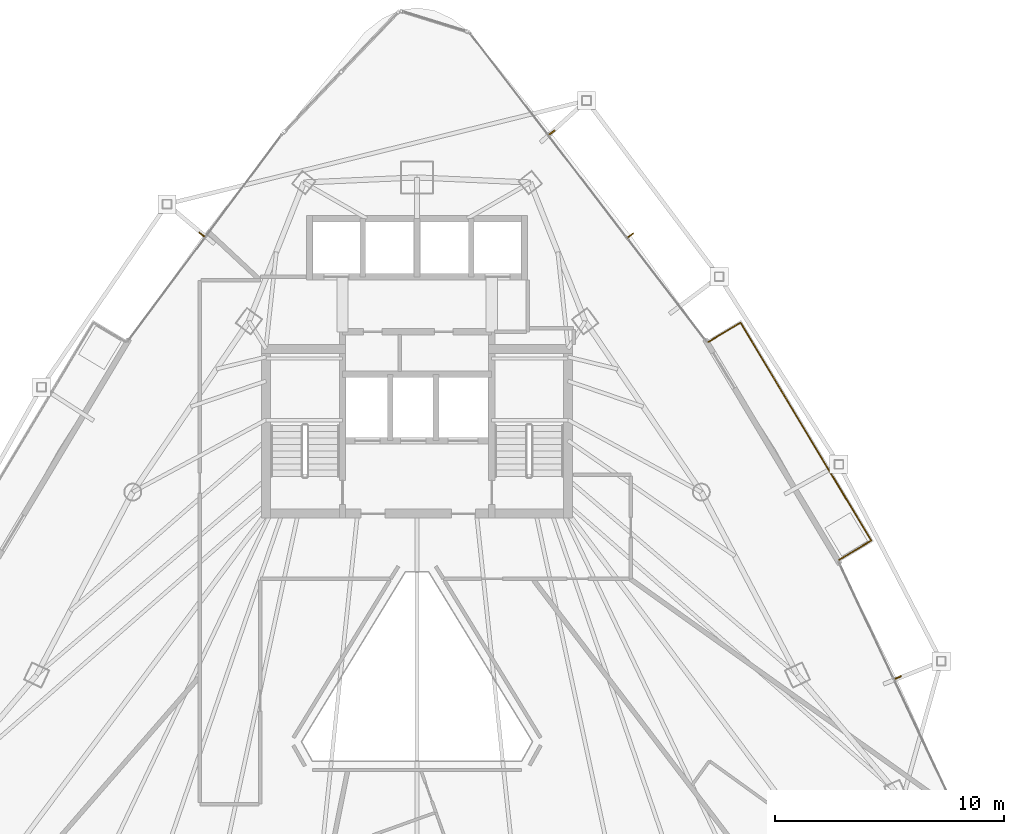
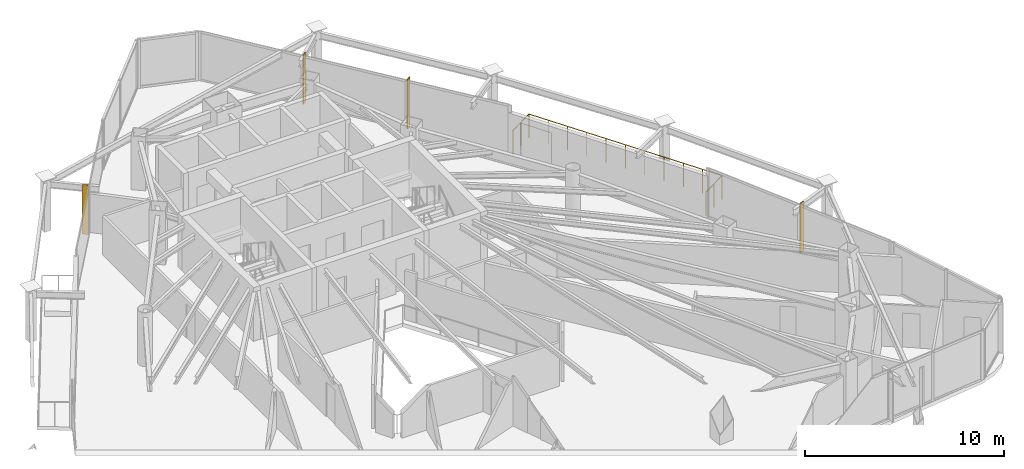
# One storey, part 30 of 30: 4 shading devices, 1 railing.
"""IFC4 building model written with IfcOpenShell, lengths in metres."""

import ifcopenshell
import ifcopenshell.guid

model = None  # the IFC model being written
_history = None  # IfcOwnerHistory: only IFC2X3 demands one
_inside = {}  # id of a spatial element -> (the spatial element, [elements in it])
_under = {}  # id of a project, library or spatial element -> (it, [spatial elements below it])
_declared = {}  # id of a project -> (the project, [libraries it declares])
_typed = {}  # id of a type object -> (the type object, [elements of that type])
_made_of = {}  # id of a material, layer set ... -> (it, [elements and type objects made of it])


def new_model(schema):
    """Start an empty IFC model of exactly this schema.

    Asked for "IFC4X3", IfcOpenShell would pick the latest addendum, in which some entities
    have other attributes; the version numbers below select the first issue.
    IFC2X3 requires an IfcOwnerHistory on every rooted entity: one is made here for all.
    """
    global model, _history
    if schema == "IFC4X3":
        model = ifcopenshell.file(schema_version=(4, 3, 0, 0))
    else:
        model = ifcopenshell.file(schema=schema)
    _inside.clear()
    _under.clear()
    _declared.clear()
    _typed.clear()
    _made_of.clear()
    _history = None
    if model.schema == "IFC2X3":
        org = make("IfcOrganization", Name="unknown")
        user = make(
            "IfcPersonAndOrganization",
            ThePerson=make("IfcPerson", FamilyName="unknown"),
            TheOrganization=org,
        )
        app = make(
            "IfcApplication",
            ApplicationDeveloper=org,
            Version="unknown",
            ApplicationFullName="unknown",
            ApplicationIdentifier="unknown",
        )
        _history = make(
            "IfcOwnerHistory",
            OwningUser=user,
            OwningApplication=app,
            ChangeAction="ADDED",
            CreationDate=0,
        )
    return model


def make(cls, **values):
    """One entity of the class cls with the attributes given. An attribute that is None is left unset."""
    return model.create_entity(
        cls, **{name: value for name, value in values.items() if value is not None}
    )


def rooted(cls, **values):
    """An entity with a GlobalId (a new one), such as an element, a storey or a relation."""
    return make(cls, GlobalId=ifcopenshell.guid.new(), OwnerHistory=_history, **values)


def si_unit(unit_type, name, prefix=None):
    """IfcSIUnit, for example si_unit("LENGTHUNIT", "METRE", prefix="MILLI")."""
    return make("IfcSIUnit", UnitType=unit_type, Prefix=prefix, Name=name)


def assignment(units):
    """IfcUnitAssignment: the units of a project."""
    return None if units is None else make("IfcUnitAssignment", Units=units)


def point(xyz):
    """IfcCartesianPoint."""
    return None if xyz is None else make("IfcCartesianPoint", Coordinates=xyz)


def direction(xyz):
    """IfcDirection."""
    return None if xyz is None else make("IfcDirection", DirectionRatios=xyz)


def frame(location, z_axis=None, x_axis=None):
    """IfcAxis2Placement3D, a coordinate frame: its origin and axes. An axis left out is left unset."""
    return make(
        "IfcAxis2Placement3D",
        Location=point(location),
        Axis=direction(z_axis),
        RefDirection=direction(x_axis),
    )


def frame_2d(location, x_axis=None):
    """IfcAxis2Placement2D, a coordinate frame in the plane: its origin and x axis."""
    return make(
        "IfcAxis2Placement2D", Location=point(location), RefDirection=direction(x_axis)
    )


def origin():
    """The frame at (0, 0, 0) with its axes left unset."""
    return frame((0.0, 0.0, 0.0))


def origin_2d():
    """The frame at (0, 0) in the plane with its x axis left unset."""
    return frame_2d((0.0, 0.0))


def place(relative_to, where):
    """IfcLocalPlacement: puts the frame where relative to a parent placement (None: the world)."""
    return make(
        "IfcLocalPlacement", PlacementRelTo=relative_to, RelativePlacement=where
    )


def context(
    kind, dimensions, precision=None, world=None, true_north=None, identifier=None
):
    """IfcGeometricRepresentationContext, for example the 3D "Model" context."""
    return make(
        "IfcGeometricRepresentationContext",
        ContextIdentifier=identifier,
        ContextType=kind,
        CoordinateSpaceDimension=dimensions,
        Precision=precision,
        WorldCoordinateSystem=world,
        TrueNorth=true_north,
    )


def subcontext(parent, identifier, kind, view, scale=None):
    """IfcGeometricRepresentationSubContext, for example "Body" below "Model"."""
    return make(
        "IfcGeometricRepresentationSubContext",
        ContextIdentifier=identifier,
        ContextType=kind,
        ParentContext=parent,
        TargetScale=scale,
        TargetView=view,
    )


def project(units=None, contexts=None):
    """IfcProject with its units and contexts."""
    return rooted(
        "IfcProject",
        Name="project",
        RepresentationContexts=contexts,
        UnitsInContext=assignment(units),
    )


def spatial(cls, under=None, at=None, **own):
    """A site, building, storey or space (cls), placed at a placement, below another one or the project."""
    s = rooted(cls, ObjectPlacement=at, **own)
    if under is not None:
        _under.setdefault(under.id(), (under, []))[1].append(s)
    return s


def profile(cls, at=None, kind="AREA", **sizes):
    """A parametric profile (cls). Its sizes go by their IFC names, for example OverallWidth=200.0."""
    return make(cls, ProfileType=kind, Position=at, **sizes)


def rectangle(**sizes):
    """IfcRectangleProfileDef."""
    return profile("IfcRectangleProfileDef", **sizes)


def circle(**sizes):
    """IfcCircleProfileDef."""
    return profile("IfcCircleProfileDef", **sizes)


def extrude(swept, where, along, depth):
    """IfcExtrudedAreaSolid: the profile swept, set in the frame where, extruded along a direction by depth."""
    return make(
        "IfcExtrudedAreaSolid",
        SweptArea=swept,
        Position=where,
        ExtrudedDirection=direction(along),
        Depth=depth,
    )


def shape(context_of_items, identifier, shape_type, items):
    """IfcShapeRepresentation: the items that make up one representation, for example the "Body"."""
    return make(
        "IfcShapeRepresentation",
        ContextOfItems=context_of_items,
        RepresentationIdentifier=identifier,
        RepresentationType=shape_type,
        Items=items,
    )


def material(Name=None, Category=None):
    """IfcMaterial."""
    return make("IfcMaterial", Name=Name, Category=Category)


def layer(
    of_material, thickness, ventilated=None, Name=None, Category=None, Priority=None
):
    """IfcMaterialLayer: one layer of a wall or slab, of a material (None: an air gap)."""
    return make(
        "IfcMaterialLayer",
        Material=of_material,
        LayerThickness=thickness,
        IsVentilated=ventilated,
        Name=Name,
        Category=Category,
        Priority=Priority,
    )


def layer_set(layers, Name=None):
    """IfcMaterialLayerSet."""
    return make("IfcMaterialLayerSet", MaterialLayers=layers, LayerSetName=Name)


def made_of(thing, what):
    """Note that an element or type object is made of a material, layer set ...; save() writes the relation."""
    if what is not None:
        _made_of.setdefault(what.id(), (what, []))[1].append(thing)
    return thing


def type_object(cls, material=None, **own):
    """A type object (cls), such as IfcWallType, which elements share."""
    return made_of(rooted(cls, **own), material)


def element(
    cls,
    number,
    at=None,
    inside=None,
    cuts=None,
    type_object=None,
    material=None,
    context=None,
    identifier="Body",
    shape_type=None,
    held_by="IfcProductDefinitionShape",
    body=None,
    shapes=None,
    **own,
):
    """One element of the class cls, such as IfcWall. Its Tag is "e" and its number.

    at: its placement. inside: the storey or other place that contains it. cuts: it is an
    opening in that element (IfcRelVoidsElement). A single representation is given by context,
    identifier, shape_type and body (its items); several are given by shapes. held_by: the class
    of the entity that holds the representations. save() writes the other relations.
    """
    e = rooted(cls, Tag="e%d" % number, ObjectPlacement=at, **own)
    if body is not None:
        shapes = [shape(context, identifier, shape_type, body)]
    if shapes is not None:
        e.Representation = make(held_by, Representations=shapes)
    if inside is not None:
        _inside.setdefault(inside.id(), (inside, []))[1].append(e)
    if cuts is not None:
        rooted(
            "IfcRelVoidsElement", RelatingBuildingElement=cuts, RelatedOpeningElement=e
        )
    if type_object is not None:
        _typed.setdefault(type_object.id(), (type_object, []))[1].append(e)
    return made_of(e, material)


def aggregate(whole, parts):
    """IfcRelAggregates: a whole, such as a stair, and the parts it consists of."""
    return rooted("IfcRelAggregates", RelatingObject=whole, RelatedObjects=parts)


def save(model, path):
    """Write the relations noted so far, then the file.

    IfcRelAggregates (storeys below a building ...), IfcRelContainedInSpatialStructure (elements
    in a storey), IfcRelDefinesByType, IfcRelAssociatesMaterial and IfcRelDeclares: one each for
    every whole, place, type object, material and project.
    """
    for whole, parts in _under.values():
        aggregate(whole, parts)
    for where, things in _inside.values():
        rooted(
            "IfcRelContainedInSpatialStructure",
            RelatedElements=things,
            RelatingStructure=where,
        )
    for kind, things in _typed.values():
        rooted("IfcRelDefinesByType", RelatedObjects=things, RelatingType=kind)
    for what, things in _made_of.values():
        rooted("IfcRelAssociatesMaterial", RelatedObjects=things, RelatingMaterial=what)
    for by, libraries in _declared.values():
        rooted("IfcRelDeclares", RelatingContext=by, RelatedDefinitions=libraries)
    model.write(path)


model = new_model("IFC4")

# Units and contexts
model_context = context("Model", 3, precision=1e-05, world=origin(), true_north=direction((0.0, 1.0)))
body_context = subcontext(model_context, "Body", "Model", "MODEL_VIEW")
ifc_project = project(units=[si_unit("LENGTHUNIT", "METRE"), si_unit("AREAUNIT", "SQUARE_METRE"), si_unit("VOLUMEUNIT", "CUBIC_METRE"), si_unit("PLANEANGLEUNIT", "RADIAN"), si_unit("MASSUNIT", "GRAM", prefix="KILO")], contexts=[model_context])

# Site, building, storey
site_placement = place(None, origin())
site = spatial("IfcSite", under=ifc_project, at=site_placement, CompositionType="ELEMENT")
building_placement = place(site_placement, origin())
building = spatial("IfcBuilding", under=site, at=building_placement, Name="Orvanel Arch Residences", CompositionType="ELEMENT")
storey_placement = place(building_placement, frame((0.0, 0.0, 143.0)))
storey = spatial("IfcBuildingStorey", under=building, at=storey_placement, Name="L40", CompositionType="ELEMENT", Elevation=143.0)

# Shading devices
ifc_material = material(Name="Bronze-anodised aluminium AA6063-T6", Category="aluminium")
ifc_layer = layer(ifc_material, 0.054931640625)
ifc_layer_set = layer_set([ifc_layer], Name="Bronze-anodised aluminium AA6063-T6")
shading_device_type = type_object("IfcShadingDeviceType", Name="FIN-BRZ-320", PredefinedType="USERDEFINED", material=ifc_layer_set)
for number, where, z_axis, x_axis, name in (
    (1, (23.593994140625, 38.89697265625, 0.0), (0.0, 0.0, 1.0), (-0.801775644244, 0.597625146976, 0.0), "L40 Anodised Bronze Mullion FIN 01"),
    (2, (54.02392578125, 19.530029296875, 0.0), (0.0, 0.0, 1.0), (0.904827052466, 0.425779291565, 0.0), "L40 Anodised Bronze Mullion FIN 01"),
    (3, (42.333984375, 38.864013671875, 0.0), (0.0, 0.0, 1.0), (0.793353340291, 0.608761429009, 0.0), "L40 Anodised Bronze Mullion FIN 01"),
    (4, (38.889892578125, 43.35595703125, 0.0), (0.0, 0.0, 1.0), (0.793353340291, 0.608761429009, 0.0), "L40 Anodised Bronze Mullion FIN 02"),
):
    element("IfcShadingDevice", number, at=place(storey_placement, frame(where, z_axis=z_axis, x_axis=x_axis)), inside=storey, type_object=shading_device_type, Name=name, ObjectType="FIN", PredefinedType="USERDEFINED", context=body_context, shape_type="SweptSolid", body=[
        extrude(rectangle(XDim=0.320068359375, YDim=0.054931640625, at=origin_2d()), origin(), (0.0, 0.0, 1.0), 3.02001953125),
    ])

# Railing
railing_type = type_object("IfcRailingType", Name="RL-BAL-1480", PredefinedType="BALUSTRADE", material=ifc_material)
railing_placement = place(storey_placement, frame((51.450927734375, 24.675048828125, 0.0)))
element("IfcRailing", 5, at=railing_placement, inside=storey, type_object=railing_type, Name="L40 Balcony Perimeter Guardrail Face 3", PredefinedType="BALUSTRADE", context=body_context, shape_type="SweptSolid", body=[
    extrude(circle(Radius=0.02392578125, at=origin_2d()), frame((0.001220703125, 0.000732421875, 1.4560546875), z_axis=(0.857545439568, 0.514408222208, 0.0), x_axis=(-0.514408222208, 0.857545439568, 0.0)), (0.0, 0.0, 1.0), 1.6376953125),
    extrude(circle(Radius=0.02392578125, at=origin_2d()), frame((1.40625, 0.84521484375, 1.4560546875), z_axis=(-0.514414986508, 0.857541381891, 0.0), x_axis=(-0.857541381891, -0.514414986508, 0.0)), (0.0, 0.0, 1.0), 11.110107421875),
    extrude(circle(Radius=0.02392578125, at=origin_2d()), frame((-4.31103515625, 10.373291015625, 1.4560546875), z_axis=(-0.857387817543, -0.514670895164, 0.0), x_axis=(0.514670895164, -0.857387817543, 0.0)), (0.0, 0.0, 1.0), 1.636962890625),
    extrude(circle(Radius=0.02099609375, at=origin_2d()), origin(), (0.0, 0.0, 1.0), 1.429931640625),
    extrude(circle(Radius=0.02099609375, at=origin_2d()), frame((0.70361328125, 0.421875, 0.0)), (0.0, 0.0, 1.0), 1.429931640625),
    extrude(circle(Radius=0.02099609375, at=origin_2d()), frame((1.406982421875, 0.843994140625, 0.0)), (0.0, 0.0, 1.0), 1.429931640625),
    extrude(circle(Radius=0.02099609375, at=origin_2d()), frame((0.835205078125, 1.796875, 0.0)), (0.0, 0.0, 1.0), 1.429931640625),
    extrude(circle(Radius=0.02099609375, at=origin_2d()), frame((0.263671875, 2.75, 0.0)), (0.0, 0.0, 1.0), 1.429931640625),
    extrude(circle(Radius=0.02099609375, at=origin_2d()), frame((-0.30810546875, 3.703125, 0.0)), (0.0, 0.0, 1.0), 1.429931640625),
    extrude(circle(Radius=0.02099609375, at=origin_2d()), frame((-0.879638671875, 4.656005859375, 0.0)), (0.0, 0.0, 1.0), 1.429931640625),
    extrude(circle(Radius=0.02099609375, at=origin_2d()), frame((-1.451416015625, 5.60888671875, 0.0)), (0.0, 0.0, 1.0), 1.429931640625),
    extrude(circle(Radius=0.02099609375, at=origin_2d()), frame((-2.023193359375, 6.56201171875, 0.0)), (0.0, 0.0, 1.0), 1.429931640625),
    extrude(circle(Radius=0.02099609375, at=origin_2d()), frame((-2.5947265625, 7.51513671875, 0.0)), (0.0, 0.0, 1.0), 1.429931640625),
    extrude(circle(Radius=0.02099609375, at=origin_2d()), frame((-3.16650390625, 8.468017578125, 0.0)), (0.0, 0.0, 1.0), 1.429931640625),
    extrude(circle(Radius=0.02099609375, at=origin_2d()), frame((-3.738037109375, 9.4208984375, 0.0)), (0.0, 0.0, 1.0), 1.429931640625),
    extrude(circle(Radius=0.02099609375, at=origin_2d()), frame((-4.309814453125, 10.3740234375, 0.0)), (0.0, 0.0, 1.0), 1.429931640625),
    extrude(circle(Radius=0.02099609375, at=origin_2d()), frame((-5.0126953125, 9.9521484375, 0.0)), (0.0, 0.0, 1.0), 1.429931640625),
    extrude(circle(Radius=0.02099609375, at=origin_2d()), frame((-5.7158203125, 9.530029296875, 0.0)), (0.0, 0.0, 1.0), 1.429931640625),
])

save(model, "model.ifc")
